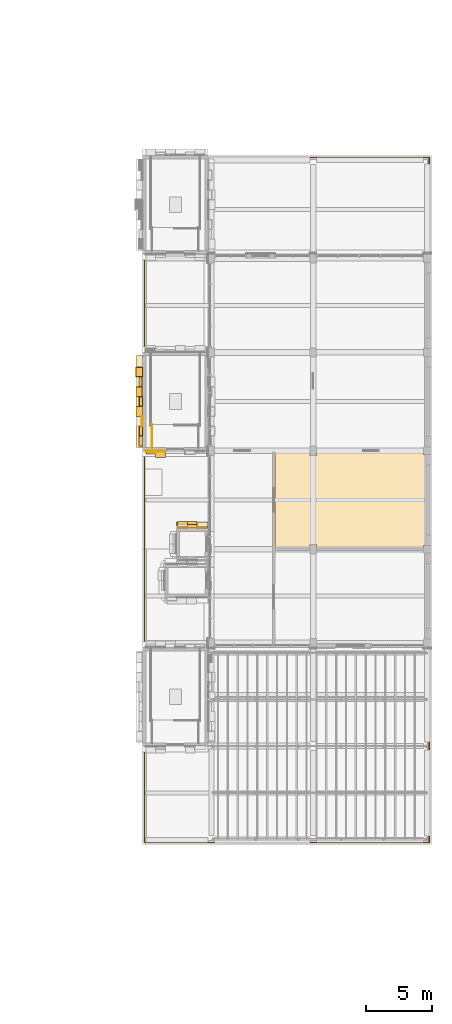
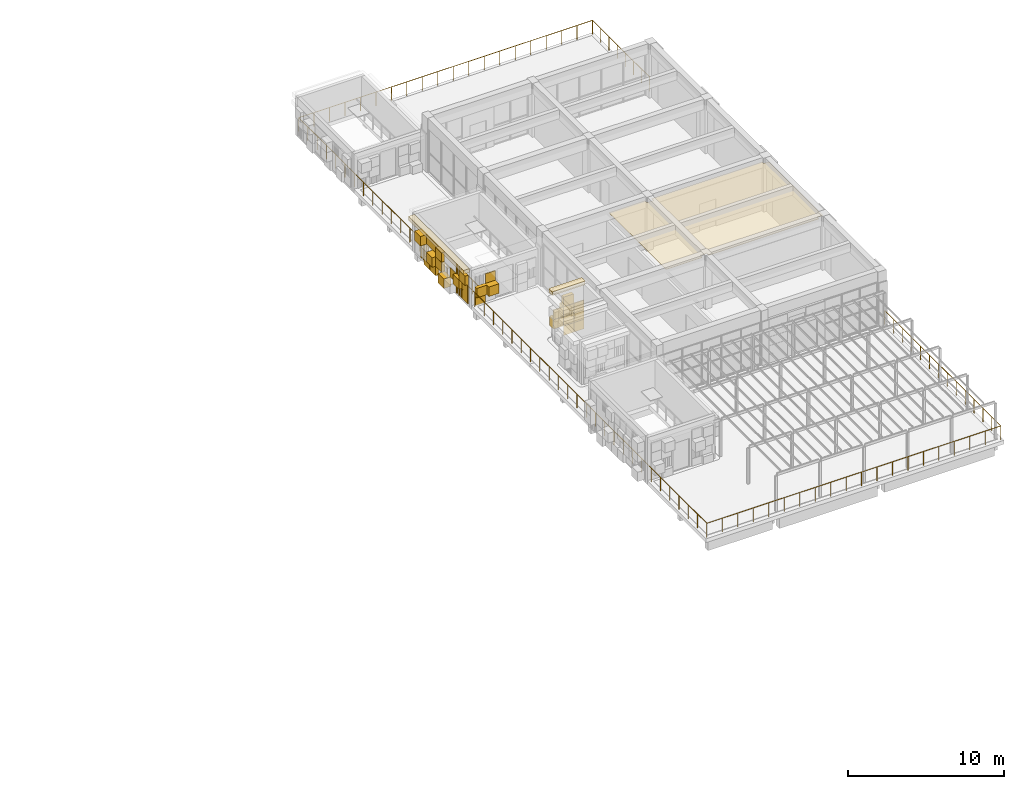
# One storey, part 23 of 26: 14 coverings, 2 railings.
"""IFC4 building model written with IfcOpenShell, lengths in metres."""

from ifc_helpers import new_model, si_unit, direction, frame, origin, origin_2d, place, context, subcontext, project, spatial, polyline, rectangle, circle, outline, extrude, material, layer, layer_set, type_object, element, save


model = new_model("IFC4")

# Units and contexts
model_context = context("Model", 3, precision=1e-05, world=origin(), true_north=direction((0.0, 1.0)))
body_context = subcontext(model_context, "Body", "Model", "MODEL_VIEW")
ifc_project = project(units=[si_unit("LENGTHUNIT", "METRE"), si_unit("AREAUNIT", "SQUARE_METRE"), si_unit("VOLUMEUNIT", "CUBIC_METRE"), si_unit("PLANEANGLEUNIT", "RADIAN"), si_unit("MASSUNIT", "GRAM", prefix="KILO")], contexts=[model_context])

# Site, building, storey
site_placement = place(None, origin())
site = spatial("IfcSite", under=ifc_project, at=site_placement, CompositionType="ELEMENT")
building_placement = place(site_placement, origin())
building = spatial("IfcBuilding", under=site, at=building_placement, Name="Sun Court Science Centre", CompositionType="ELEMENT")
storey_placement = place(building_placement, frame((0.0, 0.0, 29.25)))
storey = spatial("IfcBuildingStorey", under=building, at=storey_placement, Name="L06", CompositionType="ELEMENT", Elevation=29.25)

# Covering
ifc_material_1 = material(Name="Gypsum board")
ifc_layer_1 = layer(ifc_material_1, 0.030029296875)
ifc_layer_set_1 = layer_set([ifc_layer_1], Name="Gypsum board")
covering_type_1 = type_object("IfcCoveringType", Name="Ceiling suspended 600 module", PredefinedType="CEILING", material=ifc_layer_set_1)
covering_1_placement = place(storey_placement, frame((0.0, 0.0, 3.77001953125)))
element("IfcCovering", 1, at=covering_1_placement, inside=storey, type_object=covering_type_1, Name="L06-008 ceiling", PredefinedType="CEILING", context=body_context, shape_type="SweptSolid", body=[
    extrude(outline(polyline([(103.39990234375, 51.10009765625), (95.25, 51.10009765625), (95.25, 51.35009765625), (94.75, 51.35009765625), (94.75, 51.10009765625), (92.10009765625, 51.10009765625), (92.10009765625, 58.39990234375), (94.75, 58.39990234375), (94.75, 58.14990234375), (95.25, 58.14990234375), (95.25, 58.39990234375), (103.39990234375, 58.39990234375), (103.39990234375, 58.199951171875), (103.800048828125, 58.199951171875), (103.800048828125, 51.300048828125), (103.39990234375, 51.300048828125), (103.39990234375, 51.10009765625)])), origin(), (0.0, 0.0, 1.0), 0.030029296875),
])

# Railings
ifc_material_2 = material(Name="Steel S275", Category="steel")
railing_type_1 = type_object("IfcRailingType", Name="Guard 1100 steel balustrade", PredefinedType="GUARDRAIL", material=ifc_material_2)
railing_1_placement = place(storey_placement, frame((82.72705078125, 58.75, 0.0)))
element("IfcRailing", 2, at=railing_1_placement, inside=storey, type_object=railing_type_1, Name="L06 SL3 top well guard 5", PredefinedType="GUARDRAIL", context=body_context, shape_type="SweptSolid", body=[
    extrude(circle(Radius=0.02392578125, at=origin_2d()), frame((0.0, 0.0, 1.076171875), z_axis=(0.0, 1.0, 0.0), x_axis=(-1.0, 0.0, 0.0)), (0.0, 0.0, 1.0), 1.748046875),
    extrude(circle(Radius=0.02099609375, at=origin_2d()), origin(), (0.0, 0.0, 1.0), 1.052001953125),
    extrude(circle(Radius=0.02099609375, at=origin_2d()), frame((0.0, 0.8740234375, 0.0)), (0.0, 0.0, 1.0), 1.052001953125),
    extrude(circle(Radius=0.02099609375, at=origin_2d()), frame((0.0, 1.748046875, 0.0)), (0.0, 0.0, 1.0), 1.052001953125),
])
ifc_material_3 = material(Name="Steel S275", Category="steel")
railing_type_2 = type_object("IfcRailingType", Name="Roof guard 1100 steel balustrade", PredefinedType="GUARDRAIL", material=ifc_material_3)
railing_2_placement = place(storey_placement, frame((103.85009765625, 43.47900390625, 0.0)))
element("IfcRailing", 3, at=railing_2_placement, inside=storey, type_object=railing_type_2, Name="Observatory terrace guard", PredefinedType="GUARDRAIL", context=body_context, shape_type="SweptSolid", body=[
    extrude(circle(Radius=0.02392578125, at=origin_2d()), frame((0.0, 0.0, 1.076171875), z_axis=(0.0, -1.0, 0.0), x_axis=(1.0, 0.0, 0.0)), (0.0, 0.0, 1.0), 14.8291015625),
    extrude(circle(Radius=0.02392578125, at=origin_2d()), frame((0.0, -14.8291015625, 1.076171875), z_axis=(-1.0, 0.0, 0.0), x_axis=(0.0, -1.0, 0.0)), (0.0, 0.0, 1.0), 21.7001953125),
    extrude(circle(Radius=0.02392578125, at=origin_2d()), frame((-21.7001953125, -14.8291015625, 1.076171875), z_axis=(0.0, 1.0, 0.0), x_axis=(-1.0, 0.0, 0.0)), (0.0, 0.0, 1.0), 52.2001953125),
    extrude(circle(Radius=0.02392578125, at=origin_2d()), frame((-21.7001953125, 37.37109375, 1.076171875), z_axis=(1.0, 0.0, 0.0), x_axis=(0.0, 1.0, 0.0)), (0.0, 0.0, 1.0), 21.7001953125),
    extrude(circle(Radius=0.02392578125, at=origin_2d()), frame((0.0, 37.37109375, 1.076171875), z_axis=(0.0, -1.0, 0.0), x_axis=(1.0, 0.0, 0.0)), (0.0, 0.0, 1.0), 7.3291015625),
    extrude(circle(Radius=0.02099609375, at=origin_2d()), origin(), (0.0, 0.0, 1.0), 1.052001953125),
    extrude(circle(Radius=0.02099609375, at=origin_2d()), frame((0.0, -1.140625, 0.0)), (0.0, 0.0, 1.0), 1.052001953125),
    extrude(circle(Radius=0.02099609375, at=origin_2d()), frame((0.0, -2.281494140625, 0.0)), (0.0, 0.0, 1.0), 1.052001953125),
    extrude(circle(Radius=0.02099609375, at=origin_2d()), frame((0.0, -3.422119140625, 0.0)), (0.0, 0.0, 1.0), 1.052001953125),
    extrude(circle(Radius=0.02099609375, at=origin_2d()), frame((0.0, -4.562744140625, 0.0)), (0.0, 0.0, 1.0), 1.052001953125),
    extrude(circle(Radius=0.02099609375, at=origin_2d()), frame((0.0, -5.70361328125, 0.0)), (0.0, 0.0, 1.0), 1.052001953125),
    extrude(circle(Radius=0.02099609375, at=origin_2d()), frame((0.0, -6.84423828125, 0.0)), (0.0, 0.0, 1.0), 1.052001953125),
    extrude(circle(Radius=0.02099609375, at=origin_2d()), frame((0.0, -7.98486328125, 0.0)), (0.0, 0.0, 1.0), 1.052001953125),
    extrude(circle(Radius=0.02099609375, at=origin_2d()), frame((0.0, -9.12548828125, 0.0)), (0.0, 0.0, 1.0), 1.052001953125),
    extrude(circle(Radius=0.02099609375, at=origin_2d()), frame((0.0, -10.266357421875, 0.0)), (0.0, 0.0, 1.0), 1.052001953125),
    extrude(circle(Radius=0.02099609375, at=origin_2d()), frame((0.0, -11.406982421875, 0.0)), (0.0, 0.0, 1.0), 1.052001953125),
    extrude(circle(Radius=0.02099609375, at=origin_2d()), frame((0.0, -12.547607421875, 0.0)), (0.0, 0.0, 1.0), 1.052001953125),
    extrude(circle(Radius=0.02099609375, at=origin_2d()), frame((0.0, -13.6884765625, 0.0)), (0.0, 0.0, 1.0), 1.052001953125),
    extrude(circle(Radius=0.02099609375, at=origin_2d()), frame((0.0, -14.8291015625, 0.0)), (0.0, 0.0, 1.0), 1.052001953125),
    extrude(circle(Radius=0.02099609375, at=origin_2d()), frame((-1.14208984375, -14.8291015625, 0.0)), (0.0, 0.0, 1.0), 1.052001953125),
    extrude(circle(Radius=0.02099609375, at=origin_2d()), frame((-2.2841796875, -14.8291015625, 0.0)), (0.0, 0.0, 1.0), 1.052001953125),
    extrude(circle(Radius=0.02099609375, at=origin_2d()), frame((-3.42626953125, -14.8291015625, 0.0)), (0.0, 0.0, 1.0), 1.052001953125),
    extrude(circle(Radius=0.02099609375, at=origin_2d()), frame((-4.568359375, -14.8291015625, 0.0)), (0.0, 0.0, 1.0), 1.052001953125),
    extrude(circle(Radius=0.02099609375, at=origin_2d()), frame((-5.710693359375, -14.8291015625, 0.0)), (0.0, 0.0, 1.0), 1.052001953125),
    extrude(circle(Radius=0.02099609375, at=origin_2d()), frame((-6.852783203125, -14.8291015625, 0.0)), (0.0, 0.0, 1.0), 1.052001953125),
    extrude(circle(Radius=0.02099609375, at=origin_2d()), frame((-7.994873046875, -14.8291015625, 0.0)), (0.0, 0.0, 1.0), 1.052001953125),
    extrude(circle(Radius=0.02099609375, at=origin_2d()), frame((-9.136962890625, -14.8291015625, 0.0)), (0.0, 0.0, 1.0), 1.052001953125),
    extrude(circle(Radius=0.02099609375, at=origin_2d()), frame((-10.279052734375, -14.8291015625, 0.0)), (0.0, 0.0, 1.0), 1.052001953125),
    extrude(circle(Radius=0.02099609375, at=origin_2d()), frame((-11.421142578125, -14.8291015625, 0.0)), (0.0, 0.0, 1.0), 1.052001953125),
    extrude(circle(Radius=0.02099609375, at=origin_2d()), frame((-12.563232421875, -14.8291015625, 0.0)), (0.0, 0.0, 1.0), 1.052001953125),
    extrude(circle(Radius=0.02099609375, at=origin_2d()), frame((-13.705322265625, -14.8291015625, 0.0)), (0.0, 0.0, 1.0), 1.052001953125),
    extrude(circle(Radius=0.02099609375, at=origin_2d()), frame((-14.847412109375, -14.8291015625, 0.0)), (0.0, 0.0, 1.0), 1.052001953125),
    extrude(circle(Radius=0.02099609375, at=origin_2d()), frame((-15.989501953125, -14.8291015625, 0.0)), (0.0, 0.0, 1.0), 1.052001953125),
    extrude(circle(Radius=0.02099609375, at=origin_2d()), frame((-17.1318359375, -14.8291015625, 0.0)), (0.0, 0.0, 1.0), 1.052001953125),
    extrude(circle(Radius=0.02099609375, at=origin_2d()), frame((-18.27392578125, -14.8291015625, 0.0)), (0.0, 0.0, 1.0), 1.052001953125),
    extrude(circle(Radius=0.02099609375, at=origin_2d()), frame((-19.416015625, -14.8291015625, 0.0)), (0.0, 0.0, 1.0), 1.052001953125),
    extrude(circle(Radius=0.02099609375, at=origin_2d()), frame((-20.55810546875, -14.8291015625, 0.0)), (0.0, 0.0, 1.0), 1.052001953125),
    extrude(circle(Radius=0.02099609375, at=origin_2d()), frame((-21.7001953125, -14.8291015625, 0.0)), (0.0, 0.0, 1.0), 1.052001953125),
    extrude(circle(Radius=0.02099609375, at=origin_2d()), frame((-21.7001953125, -13.642822265625, 0.0)), (0.0, 0.0, 1.0), 1.052001953125),
    extrude(circle(Radius=0.02099609375, at=origin_2d()), frame((-21.7001953125, -12.456298828125, 0.0)), (0.0, 0.0, 1.0), 1.052001953125),
    extrude(circle(Radius=0.02099609375, at=origin_2d()), frame((-21.7001953125, -11.27001953125, 0.0)), (0.0, 0.0, 1.0), 1.052001953125),
    extrude(circle(Radius=0.02099609375, at=origin_2d()), frame((-21.7001953125, -10.083740234375, 0.0)), (0.0, 0.0, 1.0), 1.052001953125),
    extrude(circle(Radius=0.02099609375, at=origin_2d()), frame((-21.7001953125, -8.897216796875, 0.0)), (0.0, 0.0, 1.0), 1.052001953125),
    extrude(circle(Radius=0.02099609375, at=origin_2d()), frame((-21.7001953125, -7.7109375, 0.0)), (0.0, 0.0, 1.0), 1.052001953125),
    extrude(circle(Radius=0.02099609375, at=origin_2d()), frame((-21.7001953125, -6.5244140625, 0.0)), (0.0, 0.0, 1.0), 1.052001953125),
    extrude(circle(Radius=0.02099609375, at=origin_2d()), frame((-21.7001953125, -5.338134765625, 0.0)), (0.0, 0.0, 1.0), 1.052001953125),
    extrude(circle(Radius=0.02099609375, at=origin_2d()), frame((-21.7001953125, -4.15185546875, 0.0)), (0.0, 0.0, 1.0), 1.052001953125),
    extrude(circle(Radius=0.02099609375, at=origin_2d()), frame((-21.7001953125, -2.96533203125, 0.0)), (0.0, 0.0, 1.0), 1.052001953125),
    extrude(circle(Radius=0.02099609375, at=origin_2d()), frame((-21.7001953125, -1.779052734375, 0.0)), (0.0, 0.0, 1.0), 1.052001953125),
    extrude(circle(Radius=0.02099609375, at=origin_2d()), frame((-21.7001953125, -0.5927734375, 0.0)), (0.0, 0.0, 1.0), 1.052001953125),
    extrude(circle(Radius=0.02099609375, at=origin_2d()), frame((-21.7001953125, 0.59375, 0.0)), (0.0, 0.0, 1.0), 1.052001953125),
    extrude(circle(Radius=0.02099609375, at=origin_2d()), frame((-21.7001953125, 1.780029296875, 0.0)), (0.0, 0.0, 1.0), 1.052001953125),
    extrude(circle(Radius=0.02099609375, at=origin_2d()), frame((-21.7001953125, 2.96630859375, 0.0)), (0.0, 0.0, 1.0), 1.052001953125),
    extrude(circle(Radius=0.02099609375, at=origin_2d()), frame((-21.7001953125, 4.15283203125, 0.0)), (0.0, 0.0, 1.0), 1.052001953125),
    extrude(circle(Radius=0.02099609375, at=origin_2d()), frame((-21.7001953125, 5.339111328125, 0.0)), (0.0, 0.0, 1.0), 1.052001953125),
    extrude(circle(Radius=0.02099609375, at=origin_2d()), frame((-21.7001953125, 6.525634765625, 0.0)), (0.0, 0.0, 1.0), 1.052001953125),
    extrude(circle(Radius=0.02099609375, at=origin_2d()), frame((-21.7001953125, 7.7119140625, 0.0)), (0.0, 0.0, 1.0), 1.052001953125),
    extrude(circle(Radius=0.02099609375, at=origin_2d()), frame((-21.7001953125, 8.898193359375, 0.0)), (0.0, 0.0, 1.0), 1.052001953125),
    extrude(circle(Radius=0.02099609375, at=origin_2d()), frame((-21.7001953125, 10.084716796875, 0.0)), (0.0, 0.0, 1.0), 1.052001953125),
    extrude(circle(Radius=0.02099609375, at=origin_2d()), frame((-21.7001953125, 11.27099609375, 0.0)), (0.0, 0.0, 1.0), 1.052001953125),
    extrude(circle(Radius=0.02099609375, at=origin_2d()), frame((-21.7001953125, 12.457275390625, 0.0)), (0.0, 0.0, 1.0), 1.052001953125),
    extrude(circle(Radius=0.02099609375, at=origin_2d()), frame((-21.7001953125, 13.643798828125, 0.0)), (0.0, 0.0, 1.0), 1.052001953125),
    extrude(circle(Radius=0.02099609375, at=origin_2d()), frame((-21.7001953125, 14.830078125, 0.0)), (0.0, 0.0, 1.0), 1.052001953125),
    extrude(circle(Radius=0.02099609375, at=origin_2d()), frame((-21.7001953125, 16.016357421875, 0.0)), (0.0, 0.0, 1.0), 1.052001953125),
    extrude(circle(Radius=0.02099609375, at=origin_2d()), frame((-21.7001953125, 17.202880859375, 0.0)), (0.0, 0.0, 1.0), 1.052001953125),
    extrude(circle(Radius=0.02099609375, at=origin_2d()), frame((-21.7001953125, 18.38916015625, 0.0)), (0.0, 0.0, 1.0), 1.052001953125),
    extrude(circle(Radius=0.02099609375, at=origin_2d()), frame((-21.7001953125, 19.57568359375, 0.0)), (0.0, 0.0, 1.0), 1.052001953125),
    extrude(circle(Radius=0.02099609375, at=origin_2d()), frame((-21.7001953125, 20.761962890625, 0.0)), (0.0, 0.0, 1.0), 1.052001953125),
    extrude(circle(Radius=0.02099609375, at=origin_2d()), frame((-21.7001953125, 21.9482421875, 0.0)), (0.0, 0.0, 1.0), 1.052001953125),
    extrude(circle(Radius=0.02099609375, at=origin_2d()), frame((-21.7001953125, 23.134765625, 0.0)), (0.0, 0.0, 1.0), 1.052001953125),
    extrude(circle(Radius=0.02099609375, at=origin_2d()), frame((-21.7001953125, 24.321044921875, 0.0)), (0.0, 0.0, 1.0), 1.052001953125),
    extrude(circle(Radius=0.02099609375, at=origin_2d()), frame((-21.7001953125, 25.50732421875, 0.0)), (0.0, 0.0, 1.0), 1.052001953125),
    extrude(circle(Radius=0.02099609375, at=origin_2d()), frame((-21.7001953125, 26.69384765625, 0.0)), (0.0, 0.0, 1.0), 1.052001953125),
    extrude(circle(Radius=0.02099609375, at=origin_2d()), frame((-21.7001953125, 27.880126953125, 0.0)), (0.0, 0.0, 1.0), 1.052001953125),
    extrude(circle(Radius=0.02099609375, at=origin_2d()), frame((-21.7001953125, 29.06640625, 0.0)), (0.0, 0.0, 1.0), 1.052001953125),
    extrude(circle(Radius=0.02099609375, at=origin_2d()), frame((-21.7001953125, 30.2529296875, 0.0)), (0.0, 0.0, 1.0), 1.052001953125),
    extrude(circle(Radius=0.02099609375, at=origin_2d()), frame((-21.7001953125, 31.439208984375, 0.0)), (0.0, 0.0, 1.0), 1.052001953125),
    extrude(circle(Radius=0.02099609375, at=origin_2d()), frame((-21.7001953125, 32.625732421875, 0.0)), (0.0, 0.0, 1.0), 1.052001953125),
    extrude(circle(Radius=0.02099609375, at=origin_2d()), frame((-21.7001953125, 33.81201171875, 0.0)), (0.0, 0.0, 1.0), 1.052001953125),
    extrude(circle(Radius=0.02099609375, at=origin_2d()), frame((-21.7001953125, 34.998291015625, 0.0)), (0.0, 0.0, 1.0), 1.052001953125),
    extrude(circle(Radius=0.02099609375, at=origin_2d()), frame((-21.7001953125, 36.184814453125, 0.0)), (0.0, 0.0, 1.0), 1.052001953125),
    extrude(circle(Radius=0.02099609375, at=origin_2d()), frame((-21.7001953125, 37.37109375, 0.0)), (0.0, 0.0, 1.0), 1.052001953125),
    extrude(circle(Radius=0.02099609375, at=origin_2d()), frame((-20.55810546875, 37.37109375, 0.0)), (0.0, 0.0, 1.0), 1.052001953125),
    extrude(circle(Radius=0.02099609375, at=origin_2d()), frame((-19.416015625, 37.37109375, 0.0)), (0.0, 0.0, 1.0), 1.052001953125),
    extrude(circle(Radius=0.02099609375, at=origin_2d()), frame((-18.27392578125, 37.37109375, 0.0)), (0.0, 0.0, 1.0), 1.052001953125),
    extrude(circle(Radius=0.02099609375, at=origin_2d()), frame((-17.1318359375, 37.37109375, 0.0)), (0.0, 0.0, 1.0), 1.052001953125),
    extrude(circle(Radius=0.02099609375, at=origin_2d()), frame((-15.989501953125, 37.37109375, 0.0)), (0.0, 0.0, 1.0), 1.052001953125),
    extrude(circle(Radius=0.02099609375, at=origin_2d()), frame((-14.847412109375, 37.37109375, 0.0)), (0.0, 0.0, 1.0), 1.052001953125),
    extrude(circle(Radius=0.02099609375, at=origin_2d()), frame((-13.705322265625, 37.37109375, 0.0)), (0.0, 0.0, 1.0), 1.052001953125),
    extrude(circle(Radius=0.02099609375, at=origin_2d()), frame((-12.563232421875, 37.37109375, 0.0)), (0.0, 0.0, 1.0), 1.052001953125),
    extrude(circle(Radius=0.02099609375, at=origin_2d()), frame((-11.421142578125, 37.37109375, 0.0)), (0.0, 0.0, 1.0), 1.052001953125),
    extrude(circle(Radius=0.02099609375, at=origin_2d()), frame((-10.279052734375, 37.37109375, 0.0)), (0.0, 0.0, 1.0), 1.052001953125),
    extrude(circle(Radius=0.02099609375, at=origin_2d()), frame((-9.136962890625, 37.37109375, 0.0)), (0.0, 0.0, 1.0), 1.052001953125),
    extrude(circle(Radius=0.02099609375, at=origin_2d()), frame((-7.994873046875, 37.37109375, 0.0)), (0.0, 0.0, 1.0), 1.052001953125),
    extrude(circle(Radius=0.02099609375, at=origin_2d()), frame((-6.852783203125, 37.37109375, 0.0)), (0.0, 0.0, 1.0), 1.052001953125),
    extrude(circle(Radius=0.02099609375, at=origin_2d()), frame((-5.710693359375, 37.37109375, 0.0)), (0.0, 0.0, 1.0), 1.052001953125),
    extrude(circle(Radius=0.02099609375, at=origin_2d()), frame((-4.568359375, 37.37109375, 0.0)), (0.0, 0.0, 1.0), 1.052001953125),
    extrude(circle(Radius=0.02099609375, at=origin_2d()), frame((-3.42626953125, 37.37109375, 0.0)), (0.0, 0.0, 1.0), 1.052001953125),
    extrude(circle(Radius=0.02099609375, at=origin_2d()), frame((-2.2841796875, 37.37109375, 0.0)), (0.0, 0.0, 1.0), 1.052001953125),
    extrude(circle(Radius=0.02099609375, at=origin_2d()), frame((-1.14208984375, 37.37109375, 0.0)), (0.0, 0.0, 1.0), 1.052001953125),
    extrude(circle(Radius=0.02099609375, at=origin_2d()), frame((0.0, 37.37109375, 0.0)), (0.0, 0.0, 1.0), 1.052001953125),
    extrude(circle(Radius=0.02099609375, at=origin_2d()), frame((0.0, 36.323974609375, 0.0)), (0.0, 0.0, 1.0), 1.052001953125),
    extrude(circle(Radius=0.02099609375, at=origin_2d()), frame((0.0, 35.277099609375, 0.0)), (0.0, 0.0, 1.0), 1.052001953125),
    extrude(circle(Radius=0.02099609375, at=origin_2d()), frame((0.0, 34.22998046875, 0.0)), (0.0, 0.0, 1.0), 1.052001953125),
    extrude(circle(Radius=0.02099609375, at=origin_2d()), frame((0.0, 33.18310546875, 0.0)), (0.0, 0.0, 1.0), 1.052001953125),
    extrude(circle(Radius=0.02099609375, at=origin_2d()), frame((0.0, 32.135986328125, 0.0)), (0.0, 0.0, 1.0), 1.052001953125),
    extrude(circle(Radius=0.02099609375, at=origin_2d()), frame((0.0, 31.089111328125, 0.0)), (0.0, 0.0, 1.0), 1.052001953125),
    extrude(circle(Radius=0.02099609375, at=origin_2d()), frame((0.0, 30.0419921875, 0.0)), (0.0, 0.0, 1.0), 1.052001953125),
])

# Coverings
ifc_material_4 = material(Name="Terracotta panel", Category="masonry")
ifc_layer_2 = layer(ifc_material_4, 0.449951171875)
ifc_layer_set_2 = layer_set([ifc_layer_2], Name="Terracotta panel")
covering_type_2 = type_object("IfcCoveringType", Name="Terracotta cornice 450", PredefinedType="CLADDING", material=ifc_layer_set_2)
covering_2_placement = place(storey_placement, frame((0.0, 0.0, -29.25)))
element("IfcCovering", 4, at=covering_2_placement, inside=storey, type_object=covering_type_2, Name="Terracotta cornice north face of core L06", PredefinedType="CLADDING", context=body_context, shape_type="SweptSolid", body=[
    extrude(rectangle(XDim=2.425048828125, YDim=0.449951171875, at=origin_2d()), frame((85.7900390625, 52.83740234375, 32.7001953125), z_axis=(0.0, 0.0, 1.0), x_axis=(1.0, 0.0, 0.0)), (0.0, 0.0, 1.0), 0.300048828125),
])
covering_3_placement = place(storey_placement, frame((0.0, 0.0, -29.25)))
element("IfcCovering", 5, at=covering_3_placement, inside=storey, type_object=covering_type_2, Name="Terracotta cornice west face of core L06", PredefinedType="CLADDING", context=body_context, shape_type="SweptSolid", body=[
    extrude(rectangle(XDim=7.0, YDim=0.449951171875, at=origin_2d()), frame((81.77490234375, 62.25, 31.7001953125), z_axis=(0.0, 0.0, 1.0), x_axis=(0.0, 1.0, 0.0)), (0.0, 0.0, 1.0), 0.300048828125),
])
ifc_material_5 = material(Name="Terracotta jali", Category="masonry")
ifc_layer_3 = layer(ifc_material_5, 0.06005859375)
ifc_layer_set_3 = layer_set([ifc_layer_3], Name="Terracotta jali")
covering_type_3 = type_object("IfcCoveringType", Name="Terracotta open jali panel", PredefinedType="CLADDING", material=ifc_layer_set_3)
covering_4_placement = place(storey_placement, frame((0.0, 0.0, -29.25)))
element("IfcCovering", 6, at=covering_4_placement, inside=storey, type_object=covering_type_3, Name="Open jali pixel cladding west face of core L06", PredefinedType="CLADDING", context=body_context, shape_type="SweptSolid", body=[
    extrude(rectangle(XDim=0.139892578125, YDim=0.06005859375, at=origin_2d()), frame((81.969970703125, 59.699951171875, 29.18017578125), z_axis=(0.0, 0.0, 1.0), x_axis=(0.0, 1.0, 0.0)), (0.0, 0.0, 1.0), 0.739990234375),
    extrude(rectangle(XDim=0.139892578125, YDim=0.06005859375, at=origin_2d()), frame((81.969970703125, 60.0, 29.18017578125), z_axis=(0.0, 0.0, 1.0), x_axis=(0.0, 1.0, 0.0)), (0.0, 0.0, 1.0), 0.739990234375),
    extrude(rectangle(XDim=0.139892578125, YDim=0.06005859375, at=origin_2d()), frame((81.969970703125, 60.300048828125, 29.18017578125), z_axis=(0.0, 0.0, 1.0), x_axis=(0.0, 1.0, 0.0)), (0.0, 0.0, 1.0), 0.739990234375),
    extrude(rectangle(XDim=0.139892578125, YDim=0.06005859375, at=origin_2d()), frame((81.969970703125, 64.199951171875, 29.18017578125), z_axis=(0.0, 0.0, 1.0), x_axis=(0.0, 1.0, 0.0)), (0.0, 0.0, 1.0), 0.739990234375),
    extrude(rectangle(XDim=0.139892578125, YDim=0.06005859375, at=origin_2d()), frame((81.969970703125, 64.5, 29.18017578125), z_axis=(0.0, 0.0, 1.0), x_axis=(0.0, 1.0, 0.0)), (0.0, 0.0, 1.0), 0.739990234375),
    extrude(rectangle(XDim=0.139892578125, YDim=0.06005859375, at=origin_2d()), frame((81.969970703125, 64.800048828125, 29.18017578125), z_axis=(0.0, 0.0, 1.0), x_axis=(0.0, 1.0, 0.0)), (0.0, 0.0, 1.0), 0.739990234375),
    extrude(rectangle(XDim=0.139892578125, YDim=0.06005859375, at=origin_2d()), frame((81.969970703125, 64.199951171875, 29.93017578125), z_axis=(0.0, 0.0, 1.0), x_axis=(0.0, 1.0, 0.0)), (0.0, 0.0, 1.0), 0.739990234375),
    extrude(rectangle(XDim=0.139892578125, YDim=0.06005859375, at=origin_2d()), frame((81.969970703125, 64.5, 29.93017578125), z_axis=(0.0, 0.0, 1.0), x_axis=(0.0, 1.0, 0.0)), (0.0, 0.0, 1.0), 0.739990234375),
    extrude(rectangle(XDim=0.139892578125, YDim=0.06005859375, at=origin_2d()), frame((81.969970703125, 64.800048828125, 29.93017578125), z_axis=(0.0, 0.0, 1.0), x_axis=(0.0, 1.0, 0.0)), (0.0, 0.0, 1.0), 0.739990234375),
    extrude(rectangle(XDim=0.139892578125, YDim=0.06005859375, at=origin_2d()), frame((81.969970703125, 59.699951171875, 30.68017578125), z_axis=(0.0, 0.0, 1.0), x_axis=(0.0, 1.0, 0.0)), (0.0, 0.0, 1.0), 0.739990234375),
    extrude(rectangle(XDim=0.139892578125, YDim=0.06005859375, at=origin_2d()), frame((81.969970703125, 60.0, 30.68017578125), z_axis=(0.0, 0.0, 1.0), x_axis=(0.0, 1.0, 0.0)), (0.0, 0.0, 1.0), 0.739990234375),
    extrude(rectangle(XDim=0.139892578125, YDim=0.06005859375, at=origin_2d()), frame((81.969970703125, 60.300048828125, 30.68017578125), z_axis=(0.0, 0.0, 1.0), x_axis=(0.0, 1.0, 0.0)), (0.0, 0.0, 1.0), 0.739990234375),
    extrude(rectangle(XDim=0.739990234375, YDim=0.510009765625, at=origin_2d()), frame((81.7451171875, 64.5, 30.68017578125), z_axis=(0.0, 0.0, 1.0), x_axis=(0.0, 1.0, 0.0)), (0.0, 0.0, 1.0), 0.739990234375),
])
ifc_material_6 = material(Name="Terracotta shade 1", Category="masonry")
ifc_layer_4 = layer(ifc_material_6, 0.06005859375)
ifc_layer_set_4 = layer_set([ifc_layer_4], Name="Terracotta shade 1")
covering_type_4 = type_object("IfcCoveringType", Name="Terracotta pixel panel shade 1", PredefinedType="CLADDING", material=ifc_layer_set_4)
covering_5_placement = place(storey_placement, frame((0.0, 0.0, -29.25)))
element("IfcCovering", 7, at=covering_5_placement, inside=storey, type_object=covering_type_4, Name="Terracotta pixel cladding shade 1 north face of core L06", PredefinedType="CLADDING", context=body_context, shape_type="SweptSolid", body=[
    extrude(rectangle(XDim=0.739990234375, YDim=0.06005859375, at=origin_2d()), frame((85.7900390625, 52.642578125, 29.30517578125), z_axis=(0.0, 0.0, 1.0), x_axis=(1.0, 0.0, 0.0)), (0.0, 0.0, 1.0), 0.739990234375),
    extrude(rectangle(XDim=0.739990234375, YDim=0.510009765625, at=origin_2d()), frame((85.0400390625, 52.867431640625, 30.05517578125), z_axis=(0.0, 0.0, 1.0), x_axis=(1.0, 0.0, 0.0)), (0.0, 0.0, 1.0), 0.739990234375),
    extrude(rectangle(XDim=0.739990234375, YDim=0.06005859375, at=origin_2d()), frame((86.5400390625, 52.642578125, 30.80517578125), z_axis=(0.0, 0.0, 1.0), x_axis=(1.0, 0.0, 0.0)), (0.0, 0.0, 1.0), 0.739990234375),
])
covering_6_placement = place(storey_placement, frame((0.0, 0.0, -29.25)))
element("IfcCovering", 8, at=covering_6_placement, inside=storey, type_object=covering_type_4, Name="Terracotta pixel cladding shade 1 south face of core L06", PredefinedType="CLADDING", context=body_context, shape_type="SweptSolid", body=[
    extrude(rectangle(XDim=0.739990234375, YDim=0.510009765625, at=origin_2d()), frame((83.375, 58.2451171875, 29.93017578125), z_axis=(0.0, 0.0, 1.0), x_axis=(-1.0, 0.0, 0.0)), (0.0, 0.0, 1.0), 0.739990234375),
    extrude(rectangle(XDim=0.739990234375, YDim=0.260009765625, at=origin_2d()), frame((82.625, 58.3701171875, 29.93017578125), z_axis=(0.0, 0.0, 1.0), x_axis=(-1.0, 0.0, 0.0)), (0.0, 0.0, 1.0), 0.739990234375),
])
ifc_material_7 = material(Name="Terracotta shade 2", Category="masonry")
ifc_layer_5 = layer(ifc_material_7, 0.06005859375)
ifc_layer_set_5 = layer_set([ifc_layer_5], Name="Terracotta shade 2")
covering_type_5 = type_object("IfcCoveringType", Name="Terracotta pixel panel shade 2", PredefinedType="CLADDING", material=ifc_layer_set_5)
covering_7_placement = place(storey_placement, frame((0.0, 0.0, -29.25)))
element("IfcCovering", 9, at=covering_7_placement, inside=storey, type_object=covering_type_5, Name="Terracotta pixel cladding shade 2 north face of core L06", PredefinedType="CLADDING", context=body_context, shape_type="SweptSolid", body=[
    extrude(rectangle(XDim=0.739990234375, YDim=0.06005859375, at=origin_2d()), frame((86.5400390625, 52.642578125, 29.30517578125), z_axis=(0.0, 0.0, 1.0), x_axis=(1.0, 0.0, 0.0)), (0.0, 0.0, 1.0), 0.739990234375),
    extrude(rectangle(XDim=0.739990234375, YDim=0.260009765625, at=origin_2d()), frame((85.7900390625, 52.742431640625, 31.55517578125), z_axis=(0.0, 0.0, 1.0), x_axis=(1.0, 0.0, 0.0)), (0.0, 0.0, 1.0), 0.739990234375),
])
covering_8_placement = place(storey_placement, frame((0.0, 0.0, -29.25)))
element("IfcCovering", 10, at=covering_8_placement, inside=storey, type_object=covering_type_5, Name="Terracotta pixel cladding shade 2 south face of core L06", PredefinedType="CLADDING", context=body_context, shape_type="SweptSolid", body=[
    extrude(rectangle(XDim=0.739990234375, YDim=0.06005859375, at=origin_2d()), frame((82.625, 58.469970703125, 29.18017578125), z_axis=(0.0, 0.0, 1.0), x_axis=(-1.0, 0.0, 0.0)), (0.0, 0.0, 1.0), 0.739990234375),
    extrude(rectangle(XDim=0.739990234375, YDim=0.06005859375, at=origin_2d()), frame((83.375, 58.469970703125, 30.68017578125), z_axis=(0.0, 0.0, 1.0), x_axis=(-1.0, 0.0, 0.0)), (0.0, 0.0, 1.0), 0.739990234375),
])
covering_9_placement = place(storey_placement, frame((0.0, 0.0, -29.25)))
element("IfcCovering", 11, at=covering_9_placement, inside=storey, type_object=covering_type_5, Name="Terracotta pixel cladding shade 2 west face of core L06", PredefinedType="CLADDING", context=body_context, shape_type="SweptSolid", body=[
    extrude(rectangle(XDim=0.739990234375, YDim=0.06005859375, at=origin_2d()), frame((81.969970703125, 59.25, 29.93017578125), z_axis=(0.0, 0.0, 1.0), x_axis=(0.0, 1.0, 0.0)), (0.0, 0.0, 1.0), 0.739990234375),
    extrude(rectangle(XDim=0.739990234375, YDim=0.510009765625, at=origin_2d()), frame((81.7451171875, 63.0, 29.93017578125), z_axis=(0.0, 0.0, 1.0), x_axis=(0.0, 1.0, 0.0)), (0.0, 0.0, 1.0), 0.739990234375),
    extrude(rectangle(XDim=0.739990234375, YDim=0.260009765625, at=origin_2d()), frame((81.8701171875, 59.25, 30.68017578125), z_axis=(0.0, 0.0, 1.0), x_axis=(0.0, 1.0, 0.0)), (0.0, 0.0, 1.0), 0.739990234375),
    extrude(rectangle(XDim=0.739990234375, YDim=0.260009765625, at=origin_2d()), frame((81.8701171875, 63.0, 29.18017578125), z_axis=(0.0, 0.0, 1.0), x_axis=(0.0, 1.0, 0.0)), (0.0, 0.0, 1.0), 0.739990234375),
    extrude(rectangle(XDim=0.739990234375, YDim=0.06005859375, at=origin_2d()), frame((81.969970703125, 59.25, 29.18017578125), z_axis=(0.0, 0.0, 1.0), x_axis=(0.0, 1.0, 0.0)), (0.0, 0.0, 1.0), 0.739990234375),
])
ifc_material_8 = material(Name="Terracotta shade 3", Category="masonry")
ifc_layer_6 = layer(ifc_material_8, 0.06005859375)
ifc_layer_set_6 = layer_set([ifc_layer_6], Name="Terracotta shade 3")
covering_type_6 = type_object("IfcCoveringType", Name="Terracotta pixel panel shade 3", PredefinedType="CLADDING", material=ifc_layer_set_6)
covering_10_placement = place(storey_placement, frame((0.0, 0.0, -29.25)))
element("IfcCovering", 12, at=covering_10_placement, inside=storey, type_object=covering_type_6, Name="Terracotta pixel cladding shade 3 north face of core L06", PredefinedType="CLADDING", context=body_context, shape_type="SweptSolid", body=[
    extrude(rectangle(XDim=0.739990234375, YDim=0.260009765625, at=origin_2d()), frame((85.7900390625, 52.742431640625, 30.05517578125), z_axis=(0.0, 0.0, 1.0), x_axis=(1.0, 0.0, 0.0)), (0.0, 0.0, 1.0), 0.739990234375),
    extrude(rectangle(XDim=0.739990234375, YDim=0.510009765625, at=origin_2d()), frame((85.7900390625, 52.867431640625, 30.80517578125), z_axis=(0.0, 0.0, 1.0), x_axis=(1.0, 0.0, 0.0)), (0.0, 0.0, 1.0), 0.739990234375),
])
covering_11_placement = place(storey_placement, frame((0.0, 0.0, -29.25)))
element("IfcCovering", 13, at=covering_11_placement, inside=storey, type_object=covering_type_6, Name="Terracotta pixel cladding shade 3 west face of core L06", PredefinedType="CLADDING", context=body_context, shape_type="SweptSolid", body=[
    extrude(rectangle(XDim=0.739990234375, YDim=0.510009765625, at=origin_2d()), frame((81.7451171875, 61.5, 29.18017578125), z_axis=(0.0, 0.0, 1.0), x_axis=(0.0, 1.0, 0.0)), (0.0, 0.0, 1.0), 0.739990234375),
    extrude(rectangle(XDim=0.739990234375, YDim=0.260009765625, at=origin_2d()), frame((81.8701171875, 63.75, 29.18017578125), z_axis=(0.0, 0.0, 1.0), x_axis=(0.0, 1.0, 0.0)), (0.0, 0.0, 1.0), 0.739990234375),
    extrude(rectangle(XDim=0.739990234375, YDim=0.260009765625, at=origin_2d()), frame((81.8701171875, 62.25, 29.93017578125), z_axis=(0.0, 0.0, 1.0), x_axis=(0.0, 1.0, 0.0)), (0.0, 0.0, 1.0), 0.739990234375),
    extrude(rectangle(XDim=0.739990234375, YDim=0.06005859375, at=origin_2d()), frame((81.969970703125, 63.0, 30.68017578125), z_axis=(0.0, 0.0, 1.0), x_axis=(0.0, 1.0, 0.0)), (0.0, 0.0, 1.0), 0.739990234375),
    extrude(rectangle(XDim=0.739990234375, YDim=0.06005859375, at=origin_2d()), frame((81.969970703125, 63.75, 30.68017578125), z_axis=(0.0, 0.0, 1.0), x_axis=(0.0, 1.0, 0.0)), (0.0, 0.0, 1.0), 0.739990234375),
])
ifc_material_9 = material(Name="Terracotta shade 4", Category="masonry")
ifc_layer_7 = layer(ifc_material_9, 0.06005859375)
ifc_layer_set_7 = layer_set([ifc_layer_7], Name="Terracotta shade 4")
covering_type_7 = type_object("IfcCoveringType", Name="Terracotta pixel panel shade 4", PredefinedType="CLADDING", material=ifc_layer_set_7)
covering_12_placement = place(storey_placement, frame((0.0, 0.0, -29.25)))
element("IfcCovering", 14, at=covering_12_placement, inside=storey, type_object=covering_type_7, Name="Terracotta pixel cladding shade 4 north face of core L06", PredefinedType="CLADDING", context=body_context, shape_type="SweptSolid", body=[
    extrude(rectangle(XDim=0.739990234375, YDim=0.06005859375, at=origin_2d()), frame((86.5400390625, 52.642578125, 30.05517578125), z_axis=(0.0, 0.0, 1.0), x_axis=(1.0, 0.0, 0.0)), (0.0, 0.0, 1.0), 0.739990234375),
    extrude(rectangle(XDim=0.739990234375, YDim=0.06005859375, at=origin_2d()), frame((85.0400390625, 52.642578125, 30.80517578125), z_axis=(0.0, 0.0, 1.0), x_axis=(1.0, 0.0, 0.0)), (0.0, 0.0, 1.0), 0.739990234375),
])
covering_13_placement = place(storey_placement, frame((0.0, 0.0, -29.25)))
element("IfcCovering", 15, at=covering_13_placement, inside=storey, type_object=covering_type_7, Name="Terracotta pixel cladding shade 4 west face of core L06", PredefinedType="CLADDING", context=body_context, shape_type="SweptSolid", body=[
    extrude(rectangle(XDim=0.739990234375, YDim=0.260009765625, at=origin_2d()), frame((81.8701171875, 60.0, 29.93017578125), z_axis=(0.0, 0.0, 1.0), x_axis=(0.0, 1.0, 0.0)), (0.0, 0.0, 1.0), 0.739990234375),
    extrude(rectangle(XDim=0.739990234375, YDim=0.260009765625, at=origin_2d()), frame((81.8701171875, 62.25, 30.68017578125), z_axis=(0.0, 0.0, 1.0), x_axis=(0.0, 1.0, 0.0)), (0.0, 0.0, 1.0), 0.739990234375),
])
ifc_material_10 = material(Name="Terracotta shade 5", Category="masonry")
ifc_layer_8 = layer(ifc_material_10, 0.06005859375)
ifc_layer_set_8 = layer_set([ifc_layer_8], Name="Terracotta shade 5")
covering_type_8 = type_object("IfcCoveringType", Name="Terracotta pixel panel shade 5", PredefinedType="CLADDING", material=ifc_layer_set_8)
covering_14_placement = place(storey_placement, frame((0.0, 0.0, -29.25)))
element("IfcCovering", 16, at=covering_14_placement, inside=storey, type_object=covering_type_8, Name="Terracotta pixel cladding shade 5 west face of core L06", PredefinedType="CLADDING", context=body_context, shape_type="SweptSolid", body=[
    extrude(rectangle(XDim=0.739990234375, YDim=0.06005859375, at=origin_2d()), frame((81.969970703125, 60.75, 29.93017578125), z_axis=(0.0, 0.0, 1.0), x_axis=(0.0, 1.0, 0.0)), (0.0, 0.0, 1.0), 0.739990234375),
])

save(model, "model.ifc")
